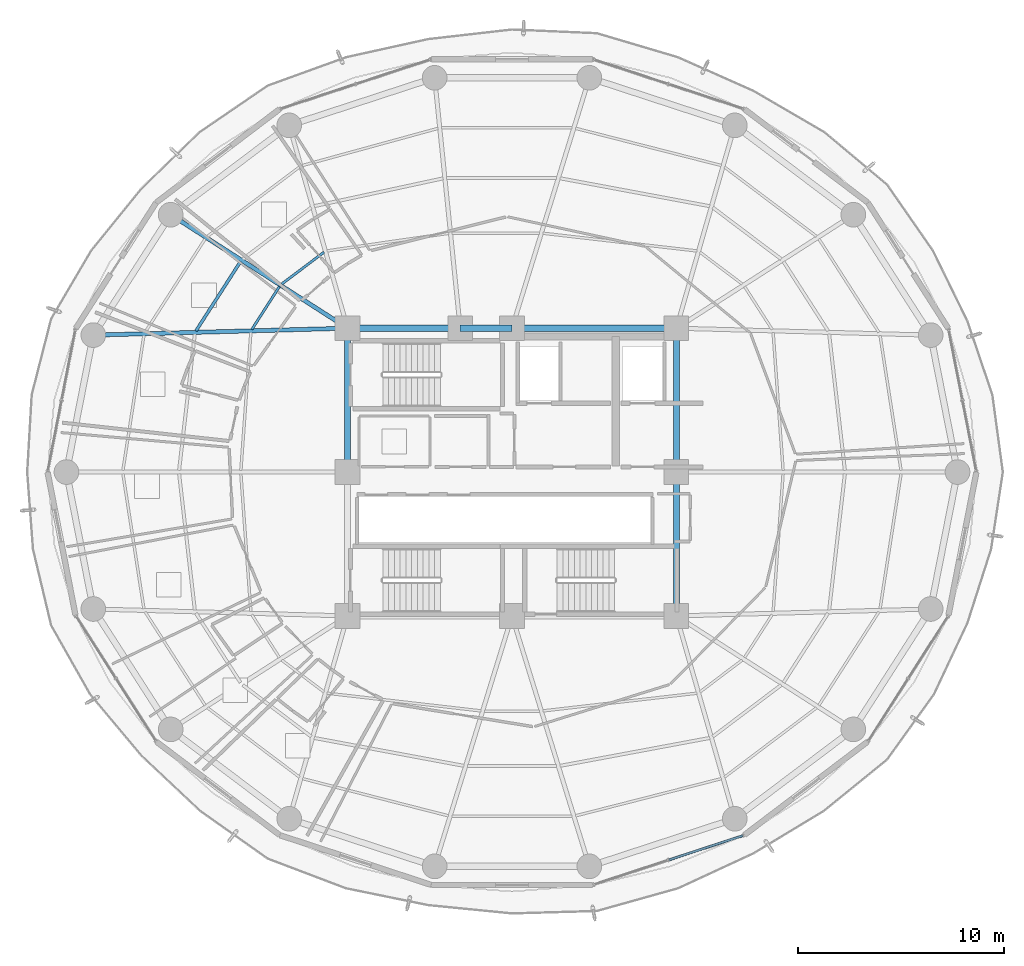
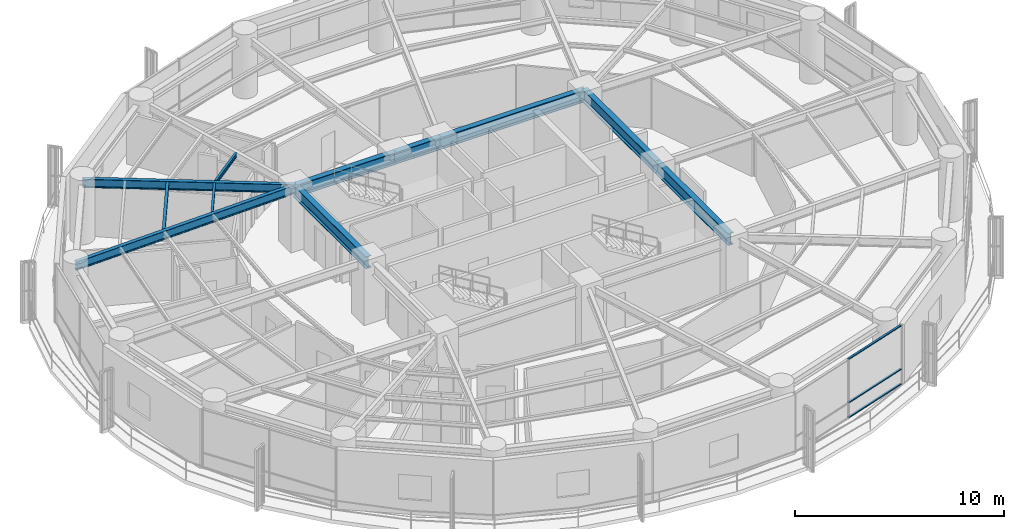
# One storey, part 9 of 27: 11 beams, 3 members, 1 element without a shape of its own.
"""IFC4 building model written with IfcOpenShell, lengths in metres."""

from ifc_helpers import new_model, si_unit, direction, frame, origin, origin_2d, place, context, subcontext, project, spatial, hollow_rectangle, i_section, extrude, material, layer, layer_set, material_profile, profile_set, type_object, element, aggregate, save


model = new_model("IFC4")

# Units and contexts
model_context = context("Model", 3, precision=1e-05, world=origin(), true_north=direction((0.0, 1.0)))
body_context = subcontext(model_context, "Body", "Model", "MODEL_VIEW")
ifc_project = project(units=[si_unit("LENGTHUNIT", "METRE"), si_unit("AREAUNIT", "SQUARE_METRE"), si_unit("VOLUMEUNIT", "CUBIC_METRE"), si_unit("PLANEANGLEUNIT", "RADIAN"), si_unit("MASSUNIT", "GRAM", prefix="KILO")], contexts=[model_context])

# Site, building, storey
site_placement = place(None, origin())
site = spatial("IfcSite", under=ifc_project, at=site_placement, CompositionType="ELEMENT")
building_placement = place(site_placement, origin())
building = spatial("IfcBuilding", under=site, at=building_placement, Name="Kelanora Arch Commons", CompositionType="ELEMENT")
storey_placement = place(building_placement, frame((0.0, 0.0, 165.60009765625)))
storey = spatial("IfcBuildingStorey", under=building, at=storey_placement, Name="L42", CompositionType="ELEMENT", Elevation=165.60009765625)

# Beams
ifc_material_1 = material(Name="Steel S355", Category="steel")
ifc_material_profile_1 = material_profile(ifc_material_1, i_section(OverallWidth=0.300048828125, OverallDepth=0.699951171875, WebThickness=0.01708984375, FlangeThickness=0.031982421875, FilletRadius=0.027099609375, at=origin_2d()), Name="HEB700")
ifc_profile_set_1 = profile_set([ifc_material_profile_1], Name="Steel S355")
beam_type_1 = type_object("IfcBeamType", Name="BM-CORE-HDR", PredefinedType="BEAM", material=ifc_profile_set_1)
for number, where, z_axis, x_axis, name in (
    (1, (82.0, 51.0, 3.139892578125), (0.0, 1.0, 0.0), (-1.0, 0.0, 0.0), "Core Header Beam 03 L42"),
    (2, (82.0, 58.0, 3.139892578125), (0.0, 1.0, 0.0), (-1.0, 0.0, 0.0), "Core Header Beam 04 L42"),
):
    element("IfcBeam", number, at=place(storey_placement, frame(where, z_axis=z_axis, x_axis=x_axis)), inside=storey, type_object=beam_type_1, Name=name, PredefinedType="BEAM", context=body_context, shape_type="SweptSolid", body=[
        extrude(i_section(OverallWidth=0.300048828125, OverallDepth=0.699951171875, WebThickness=0.01708984375, FlangeThickness=0.031982421875, FilletRadius=0.027099609375, at=origin_2d()), origin(), (0.0, 0.0, 1.0), 7.0),
    ])
beam_1_placement = place(storey_placement, frame((82.0, 65.0, 3.139892578125), z_axis=(-1.0, 0.0, 0.0), x_axis=(0.0, -1.0, 0.0)))
element("IfcBeam", 3, at=beam_1_placement, inside=storey, type_object=beam_type_1, Name="Core Header Beam 05 L42", PredefinedType="BEAM", context=body_context, shape_type="SweptSolid", body=[
    extrude(i_section(OverallWidth=0.300048828125, OverallDepth=0.699951171875, WebThickness=0.01708984375, FlangeThickness=0.031982421875, FilletRadius=0.027099609375, at=origin_2d()), origin(), (0.0, 0.0, 1.0), 8.0),
])
beam_2_placement = place(storey_placement, frame((74.0, 65.0, 3.139892578125), z_axis=(-1.0, 0.0, 0.0), x_axis=(0.0, -1.0, 0.0)))
element("IfcBeam", 4, at=beam_2_placement, inside=storey, type_object=beam_type_1, Name="Core Header Beam 06 L42", PredefinedType="BEAM", context=body_context, shape_type="SweptSolid", body=[
    extrude(i_section(OverallWidth=0.300048828125, OverallDepth=0.699951171875, WebThickness=0.01708984375, FlangeThickness=0.031982421875, FilletRadius=0.027099609375, at=origin_2d()), origin(), (0.0, 0.0, 1.0), 2.52001953125),
])
beam_3_placement = place(storey_placement, frame((71.47998046875, 65.0, 3.139892578125), z_axis=(-1.0, 0.0, 0.0), x_axis=(0.0, -1.0, 0.0)))
element("IfcBeam", 5, at=beam_3_placement, inside=storey, type_object=beam_type_1, Name="Core Header Beam 07 L42", PredefinedType="BEAM", context=body_context, shape_type="SweptSolid", body=[
    extrude(i_section(OverallWidth=0.300048828125, OverallDepth=0.699951171875, WebThickness=0.01708984375, FlangeThickness=0.031982421875, FilletRadius=0.027099609375, at=origin_2d()), origin(), (0.0, 0.0, 1.0), 5.47998046875),
])
beam_4_placement = place(storey_placement, frame((66.0, 65.0, 3.139892578125), z_axis=(0.0, -1.0, 0.0), x_axis=(1.0, 0.0, 0.0)))
element("IfcBeam", 6, at=beam_4_placement, inside=storey, type_object=beam_type_1, Name="Core Header Beam 08 L42", PredefinedType="BEAM", context=body_context, shape_type="SweptSolid", body=[
    extrude(i_section(OverallWidth=0.300048828125, OverallDepth=0.699951171875, WebThickness=0.01708984375, FlangeThickness=0.031982421875, FilletRadius=0.027099609375, at=origin_2d()), origin(), (0.0, 0.0, 1.0), 7.0),
])
ifc_material_profile_2 = material_profile(ifc_material_1, i_section(OverallWidth=0.14990234375, OverallDepth=0.300048828125, WebThickness=0.007080078125, FlangeThickness=0.0107421875, FilletRadius=0.014892578125, at=origin_2d()), Name="IPE300")
ifc_profile_set_2 = profile_set([ifc_material_profile_2], Name="Steel S355")
beam_type_2 = type_object("IfcBeamType", Name="BM-JST-01", PredefinedType="JOIST", material=ifc_profile_set_2)
beam_5_placement = place(storey_placement, frame((60.789306640625, 68.241455078125, 3.33984375), z_axis=(-0.540594434398, -0.841283339606, 0.0), x_axis=(0.841283339606, -0.540594434398, 0.0)))
element("IfcBeam", 7, at=beam_5_placement, inside=storey, type_object=beam_type_2, Name="Secondary Chord Joist BJB-14 L42", PredefinedType="JOIST", context=body_context, shape_type="SweptSolid", body=[
    extrude(i_section(OverallWidth=0.14990234375, OverallDepth=0.300048828125, WebThickness=0.007080078125, FlangeThickness=0.0107421875, FilletRadius=0.014892578125, at=origin_2d()), origin(), (0.0, 0.0, 1.0), 4.008544921875),
])
ifc_material_profile_3 = material_profile(ifc_material_1, i_section(OverallWidth=0.1201171875, OverallDepth=0.239990234375, WebThickness=0.006103515625, FlangeThickness=0.009765625, FilletRadius=0.014892578125, at=origin_2d()), Name="IPE240")
ifc_profile_set_3 = profile_set([ifc_material_profile_3], Name="Steel S355")
beam_type_3 = type_object("IfcBeamType", Name="BM-JST-02", PredefinedType="JOIST", material=ifc_profile_set_3)
beam_6_placement = place(storey_placement, frame((64.852783203125, 68.699462890625, 3.369873046875), z_axis=(-0.798484118859, -0.602015873487, 0.0), x_axis=(0.602015873487, -0.798484118859, 0.0)))
element("IfcBeam", 8, at=beam_6_placement, inside=storey, type_object=beam_type_3, Name="Secondary Chord Joist BJA-12 L42", PredefinedType="JOIST", context=body_context, shape_type="SweptSolid", body=[
    extrude(i_section(OverallWidth=0.1201171875, OverallDepth=0.239990234375, WebThickness=0.006103515625, FlangeThickness=0.009765625, FilletRadius=0.014892578125, at=origin_2d()), origin(), (0.0, 0.0, 1.0), 2.57470703125),
])
beam_7_placement = place(storey_placement, frame((62.68310546875, 67.026611328125, 3.369873046875), z_axis=(-0.540583174025, -0.841290575224, 0.0), x_axis=(0.841290575224, -0.540583174025, 0.0)))
element("IfcBeam", 9, at=beam_7_placement, inside=storey, type_object=beam_type_3, Name="Secondary Chord Joist BJA-14 L42", PredefinedType="JOIST", context=body_context, shape_type="SweptSolid", body=[
    extrude(i_section(OverallWidth=0.1201171875, OverallDepth=0.239990234375, WebThickness=0.006103515625, FlangeThickness=0.009765625, FilletRadius=0.014892578125, at=origin_2d()), origin(), (0.0, 0.0, 1.0), 2.476318359375),
])
ifc_material_profile_4 = material_profile(ifc_material_1, i_section(OverallWidth=0.199951171875, OverallDepth=0.5, WebThickness=0.01025390625, FlangeThickness=0.01611328125, FilletRadius=0.02099609375, at=origin_2d()), Name="IPE500")
ifc_profile_set_4 = profile_set([ifc_material_profile_4], Name="Steel S355")
beam_type_4 = type_object("IfcBeamType", Name="BM-RAD-Z3", PredefinedType="BEAM", material=ifc_profile_set_4)
beam_8_placement = place(storey_placement, frame((66.0, 65.0, 3.239990234375), z_axis=(-0.841719465748, 0.539915123868, 0.0), x_axis=(-0.539915123868, -0.841719465748, 0.0)))
element("IfcBeam", 10, at=beam_8_placement, inside=storey, type_object=beam_type_4, Name="Radial Floor Girder BR-14 L42", PredefinedType="BEAM", context=body_context, shape_type="SweptSolid", body=[
    extrude(i_section(OverallWidth=0.199951171875, OverallDepth=0.5, WebThickness=0.01025390625, FlangeThickness=0.01611328125, FilletRadius=0.02099609375, at=origin_2d()), origin(), (0.0, 0.0, 1.0), 10.2265625),
])
beam_9_placement = place(storey_placement, frame((66.0, 65.0, 3.239990234375), z_axis=(-0.999628374924, -0.027260081577, 0.0), x_axis=(0.027260081577, -0.999628374924, 0.0)))
element("IfcBeam", 11, at=beam_9_placement, inside=storey, type_object=beam_type_4, Name="Radial Floor Girder BR-16 L42", PredefinedType="BEAM", context=body_context, shape_type="SweptSolid", body=[
    extrude(i_section(OverallWidth=0.199951171875, OverallDepth=0.5, WebThickness=0.01025390625, FlangeThickness=0.01611328125, FilletRadius=0.02099609375, at=origin_2d()), origin(), (0.0, 0.0, 1.0), 12.377197265625),
])

# Curtain wall, members
ifc_material_2 = material(Name="Terracotta ceramic-fritted low-E glass and aluminium", Category="masonry")
ifc_layer = layer(ifc_material_2, 0.175048828125)
ifc_layer_set = layer_set([ifc_layer], Name="Terracotta ceramic-fritted low-E glass and aluminium")
curtain_wall_type = type_object("IfcCurtainWallType", Name="CW-SYS-02", PredefinedType="NOTDEFINED", material=ifc_layer_set)
curtain_wall_placement = place(storey_placement, origin())
curtain_wall = element("IfcCurtainWall", 12, at=curtain_wall_placement, inside=storey, type_object=curtain_wall_type, Name="Unitised Curtain Wall L42-B14", PredefinedType="NOTDEFINED")
ifc_material_3 = material(Name="Powder-coated aluminium terracotta", Category="masonry")
ifc_material_profile_5 = material_profile(ifc_material_3, hollow_rectangle(XDim=0.1201171875, YDim=0.06005859375, WallThickness=0.0048828125, InnerFilletRadius=0.0048828125, OuterFilletRadius=0.010009765625, at=origin_2d()), Name="CWT120x60")
ifc_profile_set_5 = profile_set([ifc_material_profile_5], Name="Powder-coated aluminium terracotta")
member_type = type_object("IfcMemberType", Name="CWT-STD", PredefinedType="USERDEFINED", material=ifc_profile_set_5)
member_1_placement = place(storey_placement, frame((81.640625, 39.130859375, 0.02978515625), z_axis=(0.950051191155, 0.312094111104, 0.0), x_axis=(-0.312094111104, 0.950051191155, 0.0)))
member_1 = element("IfcMember", 13, at=member_1_placement, type_object=member_type, Name="CW-02 transom 2.1", ObjectType="TRANSOM", PredefinedType="USERDEFINED", context=body_context, shape_type="SweptSolid", body=[
    extrude(hollow_rectangle(XDim=0.1201171875, YDim=0.06005859375, WallThickness=0.0048828125, InnerFilletRadius=0.0048828125, OuterFilletRadius=0.010009765625, at=origin_2d()), origin(), (0.0, 0.0, 1.0), 3.77685546875),
])
member_2_placement = place(storey_placement, frame((81.640625, 39.130859375, 0.89990234375), z_axis=(0.950051191155, 0.312094111104, 0.0), x_axis=(-0.312094111104, 0.950051191155, 0.0)))
member_2 = element("IfcMember", 14, at=member_2_placement, type_object=member_type, Name="CW-02 transom 2.2", ObjectType="TRANSOM", PredefinedType="USERDEFINED", context=body_context, shape_type="SweptSolid", body=[
    extrude(hollow_rectangle(XDim=0.1201171875, YDim=0.06005859375, WallThickness=0.0048828125, InnerFilletRadius=0.0048828125, OuterFilletRadius=0.010009765625, at=origin_2d()), origin(), (0.0, 0.0, 1.0), 3.77685546875),
])
member_3_placement = place(storey_placement, frame((81.640625, 39.130859375, 3.44482421875), z_axis=(0.950051191155, 0.312094111104, 0.0), x_axis=(-0.312094111104, 0.950051191155, 0.0)))
member_3 = element("IfcMember", 15, at=member_3_placement, type_object=member_type, Name="CW-02 transom 2.3", ObjectType="TRANSOM", PredefinedType="USERDEFINED", context=body_context, shape_type="SweptSolid", body=[
    extrude(hollow_rectangle(XDim=0.1201171875, YDim=0.06005859375, WallThickness=0.0048828125, InnerFilletRadius=0.0048828125, OuterFilletRadius=0.010009765625, at=origin_2d()), origin(), (0.0, 0.0, 1.0), 3.77685546875),
])
aggregate(curtain_wall, [member_1, member_2, member_3])

save(model, "model.ifc")
